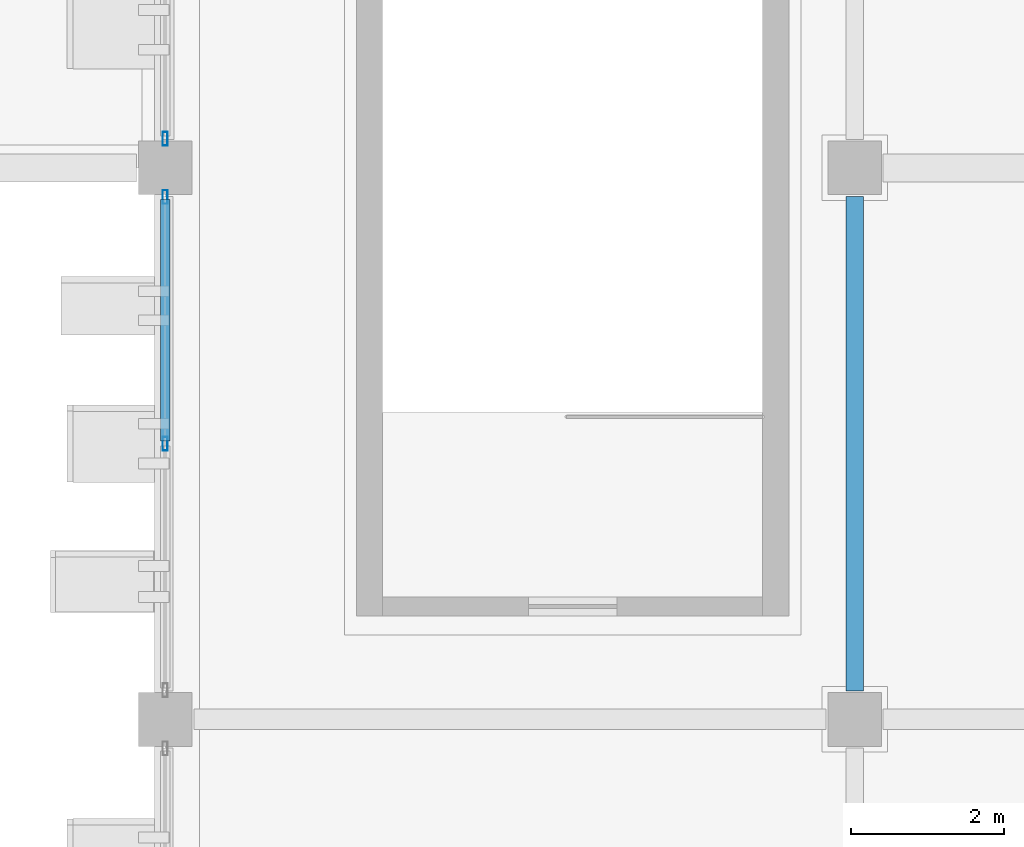
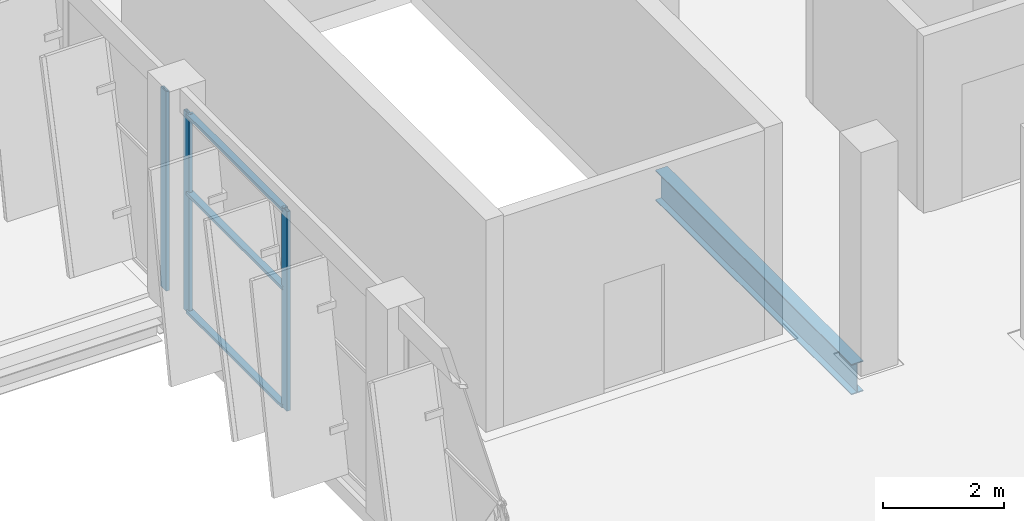
# One storey, part 37 of 151: 6 members, 1 beam, 2 elements without a shape of their own.
"""IFC4 building model written with IfcOpenShell, lengths in metres."""

from ifc_helpers import new_model, si_unit, direction, frame, origin, origin_2d, place, context, subcontext, project, spatial, hollow_rectangle, i_section, extrude, material, layer, layer_set, material_profile, profile_set, type_object, element, aggregate, save


model = new_model("IFC4")

# Units and contexts
model_context = context("Model", 3, precision=1e-05, world=origin(), true_north=direction((0.0, 1.0)))
body_context = subcontext(model_context, "Body", "Model", "MODEL_VIEW")
ifc_project = project(units=[si_unit("LENGTHUNIT", "METRE"), si_unit("AREAUNIT", "SQUARE_METRE"), si_unit("VOLUMEUNIT", "CUBIC_METRE"), si_unit("PLANEANGLEUNIT", "RADIAN"), si_unit("MASSUNIT", "GRAM", prefix="KILO")], contexts=[model_context])

# Site, building, storey
site_placement = place(None, origin())
site = spatial("IfcSite", under=ifc_project, at=site_placement, CompositionType="ELEMENT")
building_placement = place(site_placement, origin())
building = spatial("IfcBuilding", under=site, at=building_placement, Name="Celestram Park Convention Centre", CompositionType="ELEMENT")
storey_placement = place(building_placement, frame((0.0, 0.0, 10.800048828125)))
storey = spatial("IfcBuildingStorey", under=building, at=storey_placement, Name="L02", CompositionType="ELEMENT", Elevation=10.800048828125)

# Curtain wall, members
ifc_material_1 = material(Name="Anodised Aluminium Alloy 6063-T6", Category="aluminium")
ifc_layer = layer(ifc_material_1, 0.179931640625)
ifc_layer_set = layer_set([ifc_layer], Name="Anodised Aluminium Alloy 6063-T6")
curtain_wall_type = type_object("IfcCurtainWallType", Name="ARC-CW-650X401", PredefinedType="NOTDEFINED", material=ifc_layer_set)
curtain_wall_1_placement = place(storey_placement, origin())
curtain_wall_1 = element("IfcCurtainWall", 1, at=curtain_wall_1_placement, inside=storey, type_object=curtain_wall_type, Name="Unitised curtain wall CU-L02-141", PredefinedType="NOTDEFINED")
ifc_material_profile_1 = material_profile(ifc_material_1, hollow_rectangle(XDim=0.06494140625, YDim=0.179931640625, WallThickness=0.00390625, at=origin_2d()), Name="ALU65X180X4")
ifc_profile_set_1 = profile_set([ifc_material_profile_1], Name="Anodised Aluminium Alloy 6063-T6")
member_type_1 = type_object("IfcMemberType", Name="ARC-CWM-150", PredefinedType="MULLION", material=ifc_profile_set_1)
member_1_placement = place(storey_placement, frame((144.0, 18.0, 0.0), z_axis=(0.0, 0.0, 1.0), x_axis=(-1.0, 0.0, 0.0)))
member_1 = element("IfcMember", 2, at=member_1_placement, type_object=member_type_1, Name="CW-65X40 mullion 2", PredefinedType="MULLION", context=body_context, shape_type="SweptSolid", body=[
    extrude(hollow_rectangle(XDim=0.06494140625, YDim=0.179931640625, WallThickness=0.00390625, at=origin_2d()), origin(), (0.0, 0.0, 1.0), 4.010009765625),
])
member_2_placement = place(storey_placement, frame((144.0, 21.219482421875, 0.0), z_axis=(0.0, 0.0, 1.0), x_axis=(-1.0, 0.0, 0.0)))
member_2 = element("IfcMember", 3, at=member_2_placement, type_object=member_type_1, Name="CW-65X40 mullion 3", PredefinedType="MULLION", context=body_context, shape_type="SweptSolid", body=[
    extrude(hollow_rectangle(XDim=0.06494140625, YDim=0.179931640625, WallThickness=0.00390625, at=origin_2d()), origin(), (0.0, 0.0, 1.0), 4.010009765625),
])

# Curtain wall, member
curtain_wall_2_placement = place(storey_placement, origin())
curtain_wall_2 = element("IfcCurtainWall", 4, at=curtain_wall_2_placement, inside=storey, type_object=curtain_wall_type, Name="Unitised curtain wall CU-L02-142", PredefinedType="NOTDEFINED")
member_3_placement = place(storey_placement, frame((144.0, 21.98046875, 0.0), z_axis=(0.0, 0.0, 1.0), x_axis=(-1.0, 0.0, 0.0)))
member_3 = element("IfcMember", 5, at=member_3_placement, type_object=member_type_1, Name="CW-65X40 mullion 1", PredefinedType="MULLION", context=body_context, shape_type="SweptSolid", body=[
    extrude(hollow_rectangle(XDim=0.06494140625, YDim=0.179931640625, WallThickness=0.00390625, at=origin_2d()), origin(), (0.0, 0.0, 1.0), 4.010009765625),
])
aggregate(curtain_wall_2, [member_3])

# Member
ifc_material_profile_2 = material_profile(ifc_material_1, hollow_rectangle(XDim=0.1201171875, YDim=0.06005859375, WallThickness=0.0029296875, at=origin_2d()), Name="ALU120X60X3")
ifc_profile_set_2 = profile_set([ifc_material_profile_2], Name="Anodised Aluminium Alloy 6063-T6")
member_type_2 = type_object("IfcMemberType", Name="ARC-CWT-120", PredefinedType="USERDEFINED", material=ifc_profile_set_2)
member_4_placement = place(storey_placement, frame((144.0, 18.032470703125, 0.030029296875), z_axis=(0.0, 1.0, 0.0), x_axis=(-1.0, 0.0, 0.0)))
member_4 = element("IfcMember", 6, at=member_4_placement, type_object=member_type_2, Name="CW-65X40 transom 2.1", ObjectType="TRANSOM", PredefinedType="USERDEFINED", context=body_context, shape_type="SweptSolid", body=[
    extrude(hollow_rectangle(XDim=0.1201171875, YDim=0.06005859375, WallThickness=0.0029296875, at=origin_2d()), origin(), (0.0, 0.0, 1.0), 3.154541015625),
])

member_5_placement = place(storey_placement, frame((144.0, 18.032470703125, 2.406005859375), z_axis=(0.0, 1.0, 0.0), x_axis=(-1.0, 0.0, 0.0)))
member_5 = element("IfcMember", 7, at=member_5_placement, type_object=member_type_2, Name="CW-65X40 transom 2.2", ObjectType="TRANSOM", PredefinedType="USERDEFINED", context=body_context, shape_type="SweptSolid", body=[
    extrude(hollow_rectangle(XDim=0.1201171875, YDim=0.06005859375, WallThickness=0.0029296875, at=origin_2d()), origin(), (0.0, 0.0, 1.0), 3.154541015625),
])

member_6_placement = place(storey_placement, frame((144.0, 18.032470703125, 3.97998046875), z_axis=(0.0, 1.0, 0.0), x_axis=(-1.0, 0.0, 0.0)))
member_6 = element("IfcMember", 8, at=member_6_placement, type_object=member_type_2, Name="CW-65X40 transom 2.3", ObjectType="TRANSOM", PredefinedType="USERDEFINED", context=body_context, shape_type="SweptSolid", body=[
    extrude(hollow_rectangle(XDim=0.1201171875, YDim=0.06005859375, WallThickness=0.0029296875, at=origin_2d()), origin(), (0.0, 0.0, 1.0), 3.154541015625),
])

aggregate(curtain_wall_1, [member_1, member_2, member_4, member_5, member_6])

# Beam
ifc_material_2 = material(Name="Steel ASTM A992 Grade 50", Category="steel")
ifc_material_profile_3 = material_profile(ifc_material_2, i_section(OverallWidth=0.22900390625, OverallDepth=0.612060546875, WebThickness=0.011962890625, FlangeThickness=0.01953125, at=origin_2d()), Name="W24X84")
ifc_profile_set_3 = profile_set([ifc_material_profile_3], Name="Steel ASTM A992 Grade 50")
beam_type = type_object("IfcBeamType", Name="STR-BM-W24X84", PredefinedType="BEAM", material=ifc_profile_set_3)
beam_placement = place(storey_placement, frame((153.0, 14.77294921875, -0.5859375), z_axis=(0.0, 1.0, 0.0), x_axis=(-1.0, 0.0, 0.0)))
element("IfcBeam", 9, at=beam_placement, inside=storey, type_object=beam_type, Name="Primary Y-girder BG-L02-0269", PredefinedType="BEAM", context=body_context, shape_type="SweptSolid", body=[
    extrude(i_section(OverallWidth=0.22900390625, OverallDepth=0.612060546875, WebThickness=0.011962890625, FlangeThickness=0.01953125, at=origin_2d()), origin(), (0.0, 0.0, 1.0), 6.4541015625),
])

save(model, "model.ifc")
